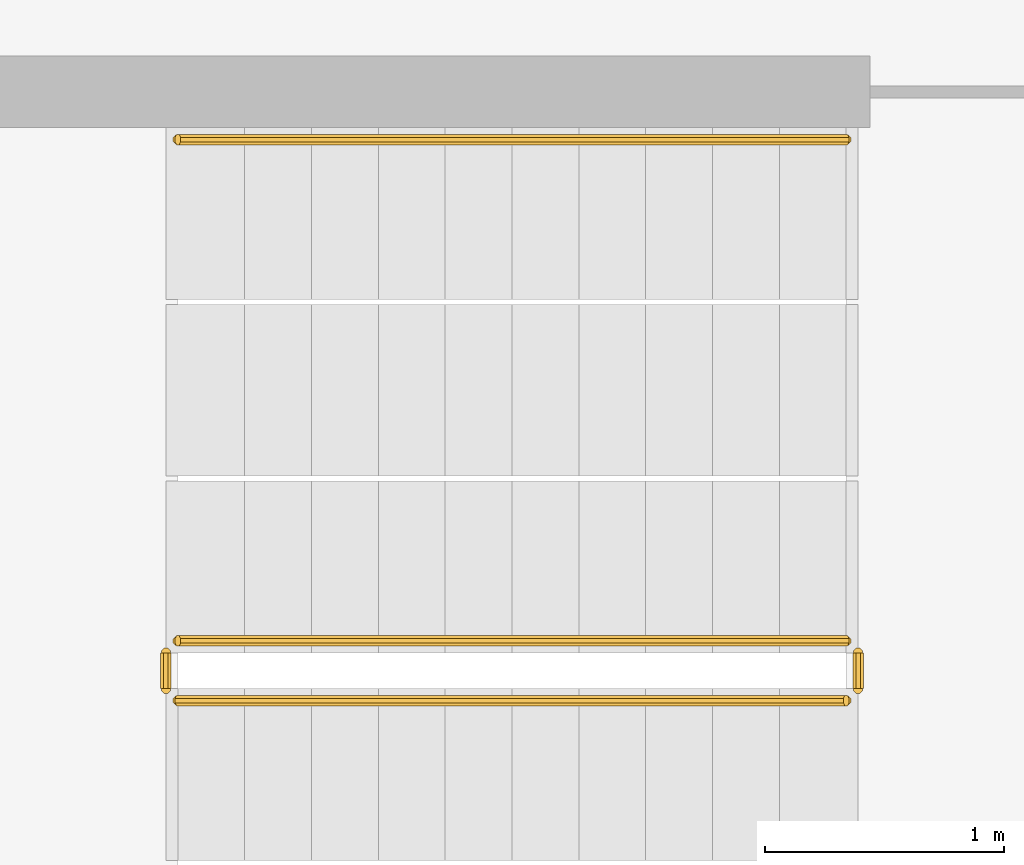
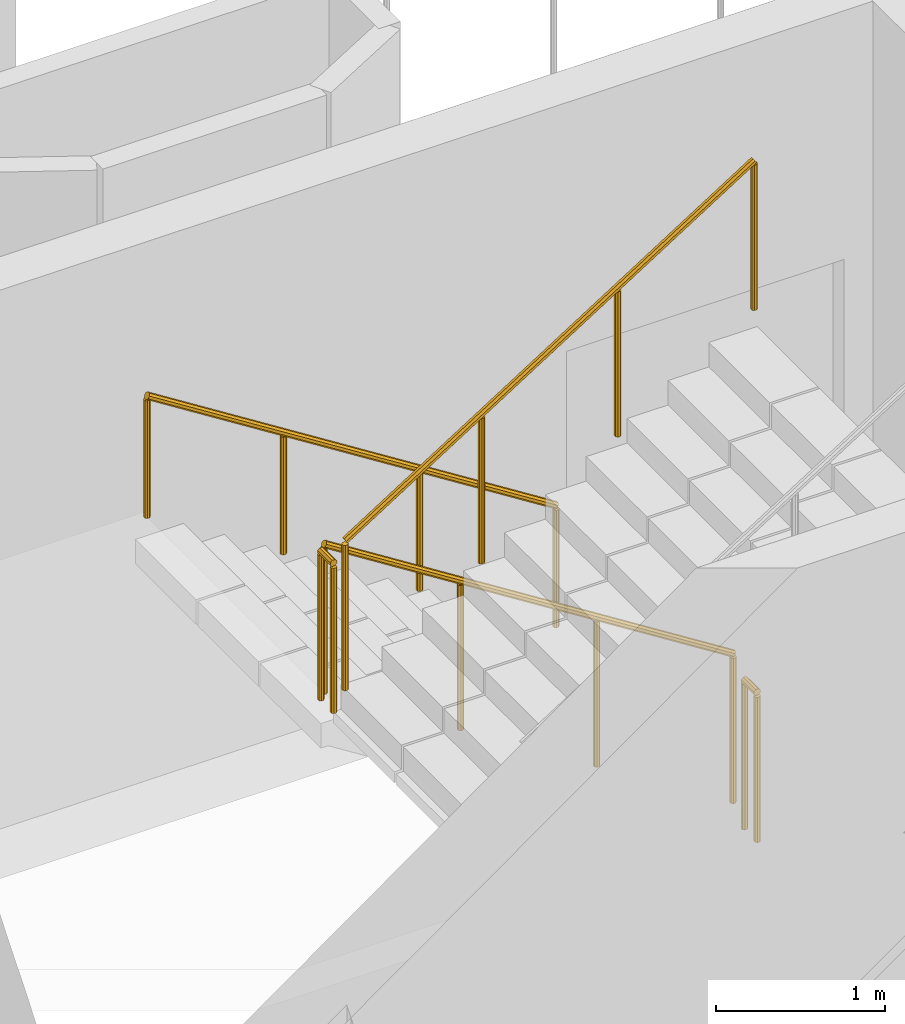
# One storey, part 20 of 26: 5 railings.
"""IFC4 building model written with IfcOpenShell, lengths in metres."""

from ifc_helpers import new_model, si_unit, direction, frame, origin, place, context, subcontext, project, spatial, polyline, outline, extrude, material, type_object, element, save


model = new_model("IFC4")

# Units and contexts
model_context = context("Model", 3, precision=1e-05, world=origin(), true_north=direction((0.0, 1.0)))
body_context = subcontext(model_context, "Body", "Model", "MODEL_VIEW")
ifc_project = project(units=[si_unit("LENGTHUNIT", "METRE"), si_unit("AREAUNIT", "SQUARE_METRE"), si_unit("VOLUMEUNIT", "CUBIC_METRE"), si_unit("PLANEANGLEUNIT", "RADIAN"), si_unit("MASSUNIT", "GRAM", prefix="KILO")], contexts=[model_context])

# Site, building, storey
site_placement = place(None, origin())
site = spatial("IfcSite", under=ifc_project, at=site_placement, CompositionType="ELEMENT")
building_placement = place(site_placement, origin())
building = spatial("IfcBuilding", under=site, at=building_placement, Name="Cormorant Relay Tower", CompositionType="ELEMENT")
storey_placement = place(building_placement, frame((0.0, 0.0, 308.699951171875)))
storey = spatial("IfcBuildingStorey", under=building, at=storey_placement, Name="L70", CompositionType="ELEMENT", Elevation=308.699951171875)

# Railings
ifc_material_1 = material(Name="Steel ASTM A572 Grade 50 (Fy 345 MPa)", Category="steel")
railing_type_1 = type_object("IfcRailingType", Name="Stair guard 1100", PredefinedType="GUARDRAIL", material=ifc_material_1)
railing_1_placement = place(storey_placement, frame((1.60009765625, -18.27490234375, 0.17724609375)))
element("IfcRailing", 1, at=railing_1_placement, inside=storey, type_object=railing_type_1, Name="L70 RK1 stair guard 1", PredefinedType="GUARDRAIL", context=body_context, shape_type="SweptSolid", body=[
    extrude(outline(polyline([(0.022216796875, 0.00927734375), (0.00927734375, 0.022216796875), (-0.00927734375, 0.022216796875), (-0.022216796875, 0.00927734375), (-0.022216796875, -0.00927734375), (-0.00927734375, -0.022216796875), (0.00927734375, -0.022216796875), (0.022216796875, -0.00927734375), (0.022216796875, 0.00927734375)])), frame((0.0, 0.0, 1.076171875), z_axis=(-0.844908973607, 0.0, 0.534910110503), x_axis=(0.0, -1.0, 0.0)), (0.0, 0.0, 1.0), 3.31396484375),
    extrude(outline(polyline([(0.019287109375, 0.008056640625), (0.008056640625, 0.019287109375), (-0.008056640625, 0.019287109375), (-0.019287109375, 0.008056640625), (-0.019287109375, -0.008056640625), (-0.008056640625, -0.019287109375), (0.008056640625, -0.019287109375), (0.019287109375, -0.008056640625), (0.019287109375, 0.008056640625)])), origin(), (0.0, 0.0, 1.0), 1.052001953125),
    extrude(outline(polyline([(0.019287109375, 0.008056640625), (0.008056640625, 0.019287109375), (-0.008056640625, 0.019287109375), (-0.019287109375, 0.008056640625), (-0.019287109375, -0.008056640625), (-0.008056640625, -0.019287109375), (0.008056640625, -0.019287109375), (0.019287109375, -0.008056640625), (0.019287109375, 0.008056640625)])), frame((-0.933349609375, 0.0, 0.5908203125)), (0.0, 0.0, 1.0), 1.052001953125),
    extrude(outline(polyline([(0.019287109375, 0.008056640625), (0.008056640625, 0.019287109375), (-0.008056640625, 0.019287109375), (-0.019287109375, 0.008056640625), (-0.019287109375, -0.008056640625), (-0.008056640625, -0.019287109375), (0.008056640625, -0.019287109375), (0.019287109375, -0.008056640625), (0.019287109375, 0.008056640625)])), frame((-1.86669921875, 0.0, 1.181884765625)), (0.0, 0.0, 1.0), 1.052001953125),
    extrude(outline(polyline([(0.019287109375, 0.008056640625), (0.008056640625, 0.019287109375), (-0.008056640625, 0.019287109375), (-0.019287109375, 0.008056640625), (-0.019287109375, -0.008056640625), (-0.008056640625, -0.019287109375), (0.008056640625, -0.019287109375), (0.019287109375, -0.008056640625), (0.019287109375, 0.008056640625)])), frame((-2.800048828125, 0.0, 1.772705078125)), (0.0, 0.0, 1.0), 1.052001953125),
])
railing_2_placement = place(storey_placement, frame((-1.25, -18.324951171875, 1.949951171875)))
element("IfcRailing", 2, at=railing_2_placement, inside=storey, type_object=railing_type_1, Name="L70 RK1 stair guard 2", PredefinedType="GUARDRAIL", context=body_context, shape_type="SweptSolid", body=[
    extrude(outline(polyline([(0.022216796875, 0.00927734375), (0.00927734375, 0.022216796875), (-0.00927734375, 0.022216796875), (-0.022216796875, 0.00927734375), (-0.022216796875, -0.00927734375), (-0.00927734375, -0.022216796875), (0.00927734375, -0.022216796875), (0.022216796875, -0.00927734375), (0.022216796875, 0.00927734375)])), frame((0.0, 0.0, 1.076171875), z_axis=(0.0, -1.0, 0.0), x_axis=(1.0, 0.0, 0.0)), (0.0, 0.0, 1.0), 0.150146484375),
    extrude(outline(polyline([(0.019287109375, 0.008056640625), (0.008056640625, 0.019287109375), (-0.008056640625, 0.019287109375), (-0.019287109375, 0.008056640625), (-0.019287109375, -0.008056640625), (-0.008056640625, -0.019287109375), (0.008056640625, -0.019287109375), (0.019287109375, -0.008056640625), (0.019287109375, 0.008056640625)])), origin(), (0.0, 0.0, 1.0), 1.052001953125),
    extrude(outline(polyline([(0.019287109375, 0.008056640625), (0.008056640625, 0.019287109375), (-0.008056640625, 0.019287109375), (-0.019287109375, 0.008056640625), (-0.019287109375, -0.008056640625), (-0.008056640625, -0.019287109375), (0.008056640625, -0.019287109375), (0.019287109375, -0.008056640625), (0.019287109375, 0.008056640625)])), frame((0.0, -0.150146484375, 0.0)), (0.0, 0.0, 1.0), 1.052001953125),
])
railing_3_placement = place(storey_placement, frame((-1.199951171875, -18.52490234375, 2.12744140625)))
element("IfcRailing", 3, at=railing_3_placement, inside=storey, type_object=railing_type_1, Name="L70 RK1 stair guard 3", PredefinedType="GUARDRAIL", context=body_context, shape_type="SweptSolid", body=[
    extrude(outline(polyline([(0.022216796875, 0.00927734375), (0.00927734375, 0.022216796875), (-0.00927734375, 0.022216796875), (-0.022216796875, 0.00927734375), (-0.022216796875, -0.00927734375), (-0.00927734375, -0.022216796875), (0.00927734375, -0.022216796875), (0.022216796875, -0.00927734375), (0.022216796875, 0.00927734375)])), frame((0.0, 0.0, 1.076171875), z_axis=(0.844908973607, 0.0, 0.534910110503), x_axis=(0.0, 1.0, 0.0)), (0.0, 0.0, 1.0), 3.31396484375),
    extrude(outline(polyline([(0.019287109375, 0.008056640625), (0.008056640625, 0.019287109375), (-0.008056640625, 0.019287109375), (-0.019287109375, 0.008056640625), (-0.019287109375, -0.008056640625), (-0.008056640625, -0.019287109375), (0.008056640625, -0.019287109375), (0.019287109375, -0.008056640625), (0.019287109375, 0.008056640625)])), origin(), (0.0, 0.0, 1.0), 1.052001953125),
    extrude(outline(polyline([(0.019287109375, 0.008056640625), (0.008056640625, 0.019287109375), (-0.008056640625, 0.019287109375), (-0.019287109375, 0.008056640625), (-0.019287109375, -0.008056640625), (-0.008056640625, -0.019287109375), (0.008056640625, -0.019287109375), (0.019287109375, -0.008056640625), (0.019287109375, 0.008056640625)])), frame((0.933349609375, 0.0, 0.5908203125)), (0.0, 0.0, 1.0), 1.052001953125),
    extrude(outline(polyline([(0.019287109375, 0.008056640625), (0.008056640625, 0.019287109375), (-0.008056640625, 0.019287109375), (-0.019287109375, 0.008056640625), (-0.019287109375, -0.008056640625), (-0.008056640625, -0.019287109375), (0.008056640625, -0.019287109375), (0.019287109375, -0.008056640625), (0.019287109375, 0.008056640625)])), frame((1.86669921875, 0.0, 1.181884765625)), (0.0, 0.0, 1.0), 1.052001953125),
    extrude(outline(polyline([(0.019287109375, 0.008056640625), (0.008056640625, 0.019287109375), (-0.008056640625, 0.019287109375), (-0.019287109375, 0.008056640625), (-0.019287109375, -0.008056640625), (-0.008056640625, -0.019287109375), (0.008056640625, -0.019287109375), (0.019287109375, -0.008056640625), (0.019287109375, 0.008056640625)])), frame((2.800048828125, 0.0, 1.772705078125)), (0.0, 0.0, 1.0), 1.052001953125),
])
railing_4_placement = place(storey_placement, frame((1.64990234375, -18.324951171875, 0.0)))
element("IfcRailing", 4, at=railing_4_placement, inside=storey, type_object=railing_type_1, Name="L70 RK1 stair guard 4", PredefinedType="GUARDRAIL", context=body_context, shape_type="SweptSolid", body=[
    extrude(outline(polyline([(0.022216796875, 0.00927734375), (0.00927734375, 0.022216796875), (-0.00927734375, 0.022216796875), (-0.022216796875, 0.00927734375), (-0.022216796875, -0.00927734375), (-0.00927734375, -0.022216796875), (0.00927734375, -0.022216796875), (0.022216796875, -0.00927734375), (0.022216796875, 0.00927734375)])), frame((0.0, 0.0, 1.076171875), z_axis=(0.0, -1.0, 0.0), x_axis=(1.0, 0.0, 0.0)), (0.0, 0.0, 1.0), 0.150146484375),
    extrude(outline(polyline([(0.019287109375, 0.008056640625), (0.008056640625, 0.019287109375), (-0.008056640625, 0.019287109375), (-0.019287109375, 0.008056640625), (-0.019287109375, -0.008056640625), (-0.008056640625, -0.019287109375), (0.008056640625, -0.019287109375), (0.019287109375, -0.008056640625), (0.019287109375, 0.008056640625)])), origin(), (0.0, 0.0, 1.0), 1.052001953125),
    extrude(outline(polyline([(0.019287109375, 0.008056640625), (0.008056640625, 0.019287109375), (-0.008056640625, 0.019287109375), (-0.019287109375, 0.008056640625), (-0.019287109375, -0.008056640625), (-0.008056640625, -0.019287109375), (0.008056640625, -0.019287109375), (0.019287109375, -0.008056640625), (0.019287109375, 0.008056640625)])), frame((0.0, -0.150146484375, 0.0)), (0.0, 0.0, 1.0), 1.052001953125),
])
ifc_material_2 = material(Name="Steel ASTM A572 Grade 50 (Fy 345 MPa)", Category="steel")
railing_type_2 = type_object("IfcRailingType", Name="Stair handrail 900", PredefinedType="HANDRAIL", material=ifc_material_2)
railing_5_placement = place(storey_placement, frame((1.60009765625, -16.175048828125, 0.17724609375)))
element("IfcRailing", 5, at=railing_5_placement, inside=storey, type_object=railing_type_2, Name="L70 RK1 stair handrail 1", PredefinedType="HANDRAIL", context=body_context, shape_type="SweptSolid", body=[
    extrude(outline(polyline([(0.022216796875, 0.00927734375), (0.00927734375, 0.022216796875), (-0.00927734375, 0.022216796875), (-0.022216796875, 0.00927734375), (-0.022216796875, -0.00927734375), (-0.00927734375, -0.022216796875), (0.00927734375, -0.022216796875), (0.022216796875, -0.00927734375), (0.022216796875, 0.00927734375)])), frame((0.0, 0.0, 0.8759765625), z_axis=(-0.844908973607, 0.0, 0.534910110503), x_axis=(0.0, -1.0, 0.0)), (0.0, 0.0, 1.0), 3.31396484375),
    extrude(outline(polyline([(0.019287109375, 0.008056640625), (0.008056640625, 0.019287109375), (-0.008056640625, 0.019287109375), (-0.019287109375, 0.008056640625), (-0.019287109375, -0.008056640625), (-0.008056640625, -0.019287109375), (0.008056640625, -0.019287109375), (0.019287109375, -0.008056640625), (0.019287109375, 0.008056640625)])), origin(), (0.0, 0.0, 1.0), 0.851806640625),
    extrude(outline(polyline([(0.019287109375, 0.008056640625), (0.008056640625, 0.019287109375), (-0.008056640625, 0.019287109375), (-0.019287109375, 0.008056640625), (-0.019287109375, -0.008056640625), (-0.008056640625, -0.019287109375), (0.008056640625, -0.019287109375), (0.019287109375, -0.008056640625), (0.019287109375, 0.008056640625)])), frame((-0.933349609375, 0.0, 0.5908203125)), (0.0, 0.0, 1.0), 0.851806640625),
    extrude(outline(polyline([(0.019287109375, 0.008056640625), (0.008056640625, 0.019287109375), (-0.008056640625, 0.019287109375), (-0.019287109375, 0.008056640625), (-0.019287109375, -0.008056640625), (-0.008056640625, -0.019287109375), (0.008056640625, -0.019287109375), (0.019287109375, -0.008056640625), (0.019287109375, 0.008056640625)])), frame((-1.86669921875, 0.0, 1.181884765625)), (0.0, 0.0, 1.0), 0.851806640625),
    extrude(outline(polyline([(0.019287109375, 0.008056640625), (0.008056640625, 0.019287109375), (-0.008056640625, 0.019287109375), (-0.019287109375, 0.008056640625), (-0.019287109375, -0.008056640625), (-0.008056640625, -0.019287109375), (0.008056640625, -0.019287109375), (0.019287109375, -0.008056640625), (0.019287109375, 0.008056640625)])), frame((-2.800048828125, 0.0, 1.772705078125)), (0.0, 0.0, 1.0), 0.851806640625),
])

save(model, "model.ifc")
